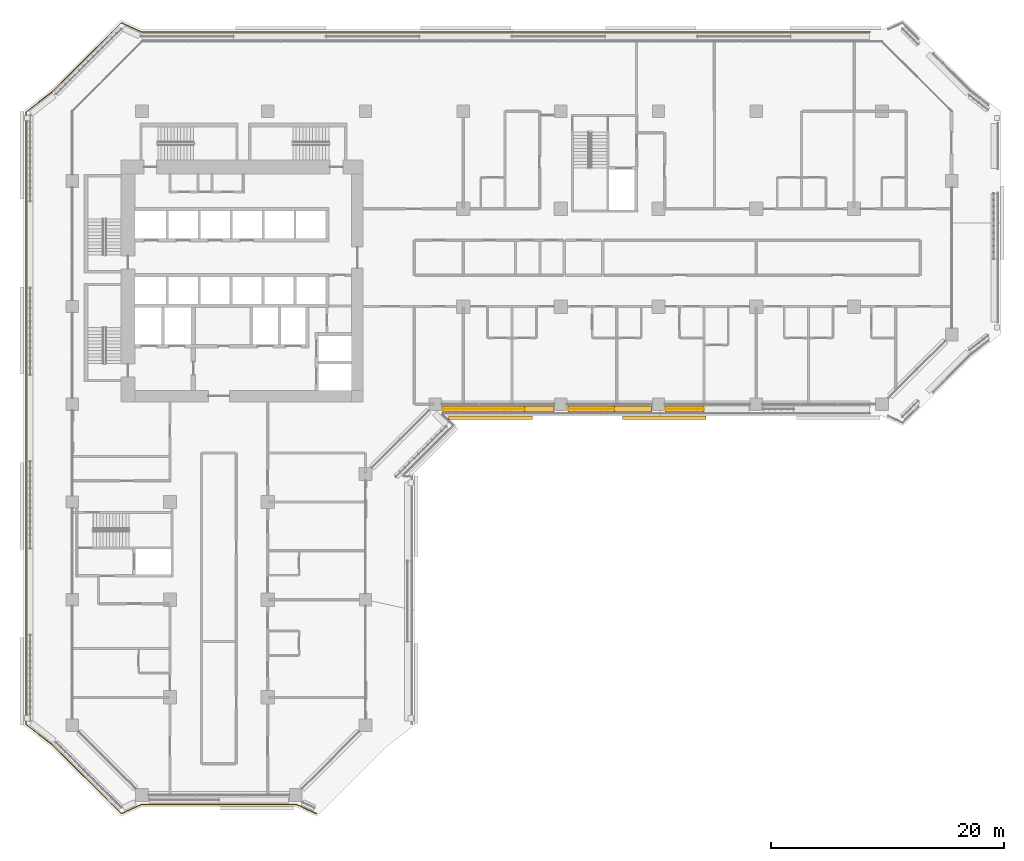
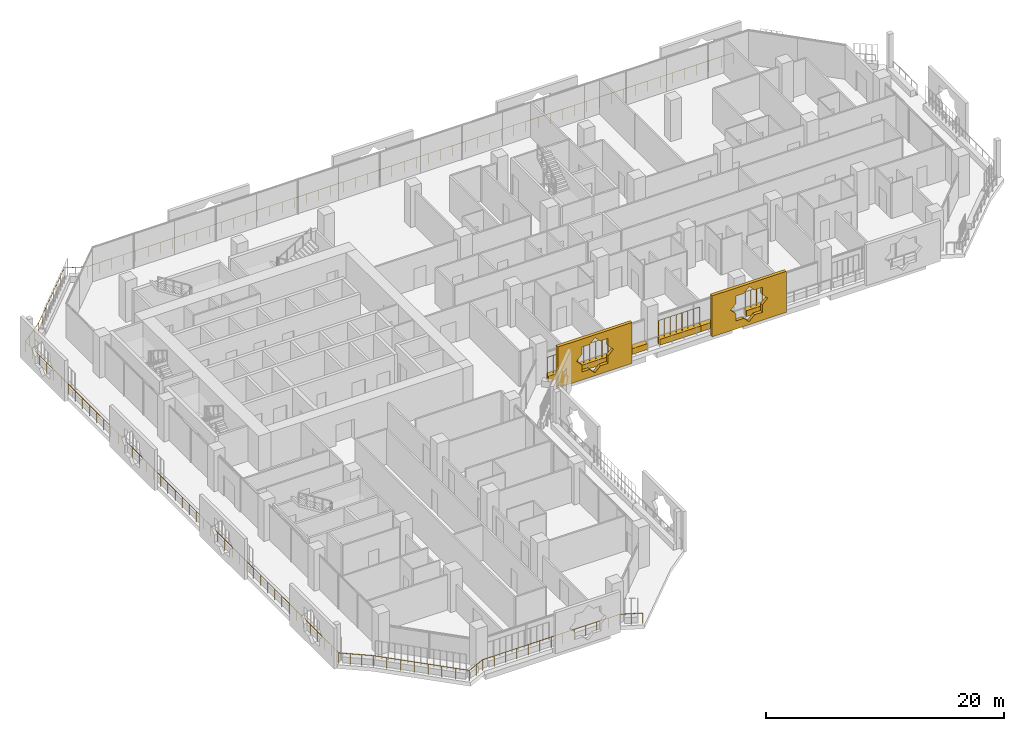
# One storey, part 23 of 26: 7 coverings, 4 railings.
"""IFC4 building model written with IfcOpenShell, lengths in metres."""

from ifc_helpers import new_model, si_unit, direction, frame, origin, origin_2d, place, context, subcontext, project, spatial, polyline, rectangle, circle, outline, extrude, material, material_profile, profile_set, type_object, element, save


model = new_model("IFC4")

# Units and contexts
model_context = context("Model", 3, precision=1e-05, world=origin(), true_north=direction((0.0, 1.0)))
body_context = subcontext(model_context, "Body", "Model", "MODEL_VIEW")
ifc_project = project(units=[si_unit("LENGTHUNIT", "METRE"), si_unit("AREAUNIT", "SQUARE_METRE"), si_unit("VOLUMEUNIT", "CUBIC_METRE"), si_unit("PLANEANGLEUNIT", "RADIAN"), si_unit("MASSUNIT", "GRAM", prefix="KILO")], contexts=[model_context])

# Site, building, storey
site_placement = place(None, origin())
site = spatial("IfcSite", under=ifc_project, at=site_placement, CompositionType="ELEMENT")
building_placement = place(site_placement, origin())
building = spatial("IfcBuilding", under=site, at=building_placement, Name="Kawkab Arch Medical Tower", CompositionType="ELEMENT")
storey_placement = place(building_placement, frame((0.0, 0.0, 119.800048828125)))
storey = spatial("IfcBuildingStorey", under=building, at=storey_placement, Name="L27", CompositionType="ELEMENT", Elevation=119.800048828125)

# Railing
ifc_material_1 = material(Name="Bronze anodised aluminium guard", Category="aluminium")
railing_type_1 = type_object("IfcRailingType", Name="Loggia and terrace guard 1100", PredefinedType="GUARDRAIL", material=ifc_material_1)
railing_1_placement = place(storey_placement, frame((20.9951171875, -60.39794921875, 0.0)))
element("IfcRailing", 1, at=railing_1_placement, inside=storey, type_object=railing_type_1, Name="Guard L27.LOG-01.1.1", PredefinedType="GUARDRAIL", context=body_context, shape_type="SweptSolid", body=[
    extrude(circle(Radius=0.02392578125, at=origin_2d()), frame((0.0, 0.0, 1.076171875), z_axis=(-0.910092688388, 0.414404752076, 0.0), x_axis=(-0.414404752076, -0.910092688388, 0.0)), (0.0, 0.0, 1.0), 1.92529296875),
    extrude(circle(Radius=0.02392578125, at=origin_2d()), frame((-1.752197265625, 0.7978515625, 1.076171875), z_axis=(-1.0, 0.0, 0.0), x_axis=(0.0, -1.0, 0.0)), (0.0, 0.0, 1.0), 13.285888671875),
    extrude(circle(Radius=0.02392578125, at=origin_2d()), frame((-15.0380859375, 0.7978515625, 1.076171875), z_axis=(-0.910070907914, -0.414452581809, 0.0), x_axis=(0.414452581809, -0.910070907914, 0.0)), (0.0, 0.0, 1.0), 1.925048828125),
    extrude(circle(Radius=0.02392578125, at=origin_2d()), frame((-16.7900390625, 0.0, 1.076171875), z_axis=(-0.707121386154, 0.707092175918, 0.0), x_axis=(-0.707092175918, -0.707121386154, 0.0)), (0.0, 0.0, 1.0), 8.358154296875),
    extrude(circle(Radius=0.02392578125, at=origin_2d()), frame((-22.7001953125, 5.909912109375, 1.076171875), z_axis=(-0.789153273162, 0.614196313452, 0.0), x_axis=(-0.614196313452, -0.789153273162, 0.0)), (0.0, 0.0, 1.0), 2.908203125),
    extrude(circle(Radius=0.02392578125, at=origin_2d()), frame((-24.9951171875, 7.696044921875, 1.076171875), z_axis=(0.0, 1.0, 0.0), x_axis=(-1.0, 0.0, 0.0)), (0.0, 0.0, 1.0), 52.60400390625),
    extrude(circle(Radius=0.02392578125, at=origin_2d()), frame((-24.9951171875, 60.300048828125, 1.076171875), z_axis=(0.789193964876, 0.614144026922, 0.0), x_axis=(-0.614144026922, 0.789193964876, 0.0)), (0.0, 0.0, 1.0), 2.907958984375),
    extrude(circle(Radius=0.02392578125, at=origin_2d()), frame((-22.7001953125, 62.0859375, 1.076171875), z_axis=(0.707121386154, 0.707092175918, 0.0), x_axis=(-0.707092175918, 0.707121386154, 0.0)), (0.0, 0.0, 1.0), 8.358154296875),
    extrude(circle(Radius=0.02392578125, at=origin_2d()), frame((-16.7900390625, 67.995849609375, 1.076171875), z_axis=(0.910070907914, -0.414452581809, 0.0), x_axis=(0.414452581809, 0.910070907914, 0.0)), (0.0, 0.0, 1.0), 1.925048828125),
    extrude(circle(Radius=0.02392578125, at=origin_2d()), frame((-15.0380859375, 67.197998046875, 1.076171875), z_axis=(1.0, 0.0, 0.0), x_axis=(0.0, 1.0, 0.0)), (0.0, 0.0, 1.0), 62.613037109375),
    extrude(circle(Radius=0.02099609375, at=origin_2d()), origin(), (0.0, 0.0, 1.0), 1.052001953125),
    extrude(circle(Radius=0.02099609375, at=origin_2d()), frame((-0.8759765625, 0.39892578125, 0.0)), (0.0, 0.0, 1.0), 1.052001953125),
    extrude(circle(Radius=0.02099609375, at=origin_2d()), frame((-1.752197265625, 0.7978515625, 0.0)), (0.0, 0.0, 1.0), 1.052001953125),
    extrude(circle(Radius=0.02099609375, at=origin_2d()), frame((-2.859375, 0.7978515625, 0.0)), (0.0, 0.0, 1.0), 1.052001953125),
    extrude(circle(Radius=0.02099609375, at=origin_2d()), frame((-3.966552734375, 0.7978515625, 0.0)), (0.0, 0.0, 1.0), 1.052001953125),
    extrude(circle(Radius=0.02099609375, at=origin_2d()), frame((-5.07373046875, 0.7978515625, 0.0)), (0.0, 0.0, 1.0), 1.052001953125),
    extrude(circle(Radius=0.02099609375, at=origin_2d()), frame((-6.180908203125, 0.7978515625, 0.0)), (0.0, 0.0, 1.0), 1.052001953125),
    extrude(circle(Radius=0.02099609375, at=origin_2d()), frame((-7.2880859375, 0.7978515625, 0.0)), (0.0, 0.0, 1.0), 1.052001953125),
    extrude(circle(Radius=0.02099609375, at=origin_2d()), frame((-8.39501953125, 0.7978515625, 0.0)), (0.0, 0.0, 1.0), 1.052001953125),
    extrude(circle(Radius=0.02099609375, at=origin_2d()), frame((-9.502197265625, 0.7978515625, 0.0)), (0.0, 0.0, 1.0), 1.052001953125),
    extrude(circle(Radius=0.02099609375, at=origin_2d()), frame((-10.609375, 0.7978515625, 0.0)), (0.0, 0.0, 1.0), 1.052001953125),
    extrude(circle(Radius=0.02099609375, at=origin_2d()), frame((-11.716552734375, 0.7978515625, 0.0)), (0.0, 0.0, 1.0), 1.052001953125),
    extrude(circle(Radius=0.02099609375, at=origin_2d()), frame((-12.82373046875, 0.7978515625, 0.0)), (0.0, 0.0, 1.0), 1.052001953125),
    extrude(circle(Radius=0.02099609375, at=origin_2d()), frame((-13.930908203125, 0.7978515625, 0.0)), (0.0, 0.0, 1.0), 1.052001953125),
    extrude(circle(Radius=0.02099609375, at=origin_2d()), frame((-15.0380859375, 0.7978515625, 0.0)), (0.0, 0.0, 1.0), 1.052001953125),
    extrude(circle(Radius=0.02099609375, at=origin_2d()), frame((-15.9140625, 0.39892578125, 0.0)), (0.0, 0.0, 1.0), 1.052001953125),
    extrude(circle(Radius=0.02099609375, at=origin_2d()), frame((-16.7900390625, 0.0, 0.0)), (0.0, 0.0, 1.0), 1.052001953125),
    extrude(circle(Radius=0.02099609375, at=origin_2d()), frame((-17.63427734375, 0.84423828125, 0.0)), (0.0, 0.0, 1.0), 1.052001953125),
    extrude(circle(Radius=0.02099609375, at=origin_2d()), frame((-18.478759765625, 1.6884765625, 0.0)), (0.0, 0.0, 1.0), 1.052001953125),
    extrude(circle(Radius=0.02099609375, at=origin_2d()), frame((-19.322998046875, 2.53271484375, 0.0)), (0.0, 0.0, 1.0), 1.052001953125),
    extrude(circle(Radius=0.02099609375, at=origin_2d()), frame((-20.167236328125, 3.377197265625, 0.0)), (0.0, 0.0, 1.0), 1.052001953125),
    extrude(circle(Radius=0.02099609375, at=origin_2d()), frame((-21.011474609375, 4.221435546875, 0.0)), (0.0, 0.0, 1.0), 1.052001953125),
    extrude(circle(Radius=0.02099609375, at=origin_2d()), frame((-21.85595703125, 5.065673828125, 0.0)), (0.0, 0.0, 1.0), 1.052001953125),
    extrude(circle(Radius=0.02099609375, at=origin_2d()), frame((-22.7001953125, 5.909912109375, 0.0)), (0.0, 0.0, 1.0), 1.052001953125),
    extrude(circle(Radius=0.02099609375, at=origin_2d()), frame((-23.465087890625, 6.50537109375, 0.0)), (0.0, 0.0, 1.0), 1.052001953125),
    extrude(circle(Radius=0.02099609375, at=origin_2d()), frame((-24.230224609375, 7.1005859375, 0.0)), (0.0, 0.0, 1.0), 1.052001953125),
    extrude(circle(Radius=0.02099609375, at=origin_2d()), frame((-24.9951171875, 7.696044921875, 0.0)), (0.0, 0.0, 1.0), 1.052001953125),
    extrude(circle(Radius=0.02099609375, at=origin_2d()), frame((-24.9951171875, 8.8916015625, 0.0)), (0.0, 0.0, 1.0), 1.052001953125),
    extrude(circle(Radius=0.02099609375, at=origin_2d()), frame((-24.9951171875, 10.087158203125, 0.0)), (0.0, 0.0, 1.0), 1.052001953125),
    extrude(circle(Radius=0.02099609375, at=origin_2d()), frame((-24.9951171875, 11.28271484375, 0.0)), (0.0, 0.0, 1.0), 1.052001953125),
    extrude(circle(Radius=0.02099609375, at=origin_2d()), frame((-24.9951171875, 12.478271484375, 0.0)), (0.0, 0.0, 1.0), 1.052001953125),
    extrude(circle(Radius=0.02099609375, at=origin_2d()), frame((-24.9951171875, 13.673828125, 0.0)), (0.0, 0.0, 1.0), 1.052001953125),
    extrude(circle(Radius=0.02099609375, at=origin_2d()), frame((-24.9951171875, 14.869384765625, 0.0)), (0.0, 0.0, 1.0), 1.052001953125),
    extrude(circle(Radius=0.02099609375, at=origin_2d()), frame((-24.9951171875, 16.06494140625, 0.0)), (0.0, 0.0, 1.0), 1.052001953125),
    extrude(circle(Radius=0.02099609375, at=origin_2d()), frame((-24.9951171875, 17.260498046875, 0.0)), (0.0, 0.0, 1.0), 1.052001953125),
    extrude(circle(Radius=0.02099609375, at=origin_2d()), frame((-24.9951171875, 18.4560546875, 0.0)), (0.0, 0.0, 1.0), 1.052001953125),
    extrude(circle(Radius=0.02099609375, at=origin_2d()), frame((-24.9951171875, 19.651611328125, 0.0)), (0.0, 0.0, 1.0), 1.052001953125),
    extrude(circle(Radius=0.02099609375, at=origin_2d()), frame((-24.9951171875, 20.84716796875, 0.0)), (0.0, 0.0, 1.0), 1.052001953125),
    extrude(circle(Radius=0.02099609375, at=origin_2d()), frame((-24.9951171875, 22.04248046875, 0.0)), (0.0, 0.0, 1.0), 1.052001953125),
    extrude(circle(Radius=0.02099609375, at=origin_2d()), frame((-24.9951171875, 23.238037109375, 0.0)), (0.0, 0.0, 1.0), 1.052001953125),
    extrude(circle(Radius=0.02099609375, at=origin_2d()), frame((-24.9951171875, 24.43359375, 0.0)), (0.0, 0.0, 1.0), 1.052001953125),
    extrude(circle(Radius=0.02099609375, at=origin_2d()), frame((-24.9951171875, 25.629150390625, 0.0)), (0.0, 0.0, 1.0), 1.052001953125),
    extrude(circle(Radius=0.02099609375, at=origin_2d()), frame((-24.9951171875, 26.82470703125, 0.0)), (0.0, 0.0, 1.0), 1.052001953125),
    extrude(circle(Radius=0.02099609375, at=origin_2d()), frame((-24.9951171875, 28.020263671875, 0.0)), (0.0, 0.0, 1.0), 1.052001953125),
    extrude(circle(Radius=0.02099609375, at=origin_2d()), frame((-24.9951171875, 29.2158203125, 0.0)), (0.0, 0.0, 1.0), 1.052001953125),
    extrude(circle(Radius=0.02099609375, at=origin_2d()), frame((-24.9951171875, 30.411376953125, 0.0)), (0.0, 0.0, 1.0), 1.052001953125),
    extrude(circle(Radius=0.02099609375, at=origin_2d()), frame((-24.9951171875, 31.60693359375, 0.0)), (0.0, 0.0, 1.0), 1.052001953125),
    extrude(circle(Radius=0.02099609375, at=origin_2d()), frame((-24.9951171875, 32.802490234375, 0.0)), (0.0, 0.0, 1.0), 1.052001953125),
    extrude(circle(Radius=0.02099609375, at=origin_2d()), frame((-24.9951171875, 33.998046875, 0.0)), (0.0, 0.0, 1.0), 1.052001953125),
    extrude(circle(Radius=0.02099609375, at=origin_2d()), frame((-24.9951171875, 35.193603515625, 0.0)), (0.0, 0.0, 1.0), 1.052001953125),
    extrude(circle(Radius=0.02099609375, at=origin_2d()), frame((-24.9951171875, 36.38916015625, 0.0)), (0.0, 0.0, 1.0), 1.052001953125),
    extrude(circle(Radius=0.02099609375, at=origin_2d()), frame((-24.9951171875, 37.584716796875, 0.0)), (0.0, 0.0, 1.0), 1.052001953125),
    extrude(circle(Radius=0.02099609375, at=origin_2d()), frame((-24.9951171875, 38.7802734375, 0.0)), (0.0, 0.0, 1.0), 1.052001953125),
    extrude(circle(Radius=0.02099609375, at=origin_2d()), frame((-24.9951171875, 39.975830078125, 0.0)), (0.0, 0.0, 1.0), 1.052001953125),
    extrude(circle(Radius=0.02099609375, at=origin_2d()), frame((-24.9951171875, 41.17138671875, 0.0)), (0.0, 0.0, 1.0), 1.052001953125),
    extrude(circle(Radius=0.02099609375, at=origin_2d()), frame((-24.9951171875, 42.366943359375, 0.0)), (0.0, 0.0, 1.0), 1.052001953125),
    extrude(circle(Radius=0.02099609375, at=origin_2d()), frame((-24.9951171875, 43.5625, 0.0)), (0.0, 0.0, 1.0), 1.052001953125),
    extrude(circle(Radius=0.02099609375, at=origin_2d()), frame((-24.9951171875, 44.758056640625, 0.0)), (0.0, 0.0, 1.0), 1.052001953125),
    extrude(circle(Radius=0.02099609375, at=origin_2d()), frame((-24.9951171875, 45.95361328125, 0.0)), (0.0, 0.0, 1.0), 1.052001953125),
    extrude(circle(Radius=0.02099609375, at=origin_2d()), frame((-24.9951171875, 47.14892578125, 0.0)), (0.0, 0.0, 1.0), 1.052001953125),
    extrude(circle(Radius=0.02099609375, at=origin_2d()), frame((-24.9951171875, 48.344482421875, 0.0)), (0.0, 0.0, 1.0), 1.052001953125),
    extrude(circle(Radius=0.02099609375, at=origin_2d()), frame((-24.9951171875, 49.5400390625, 0.0)), (0.0, 0.0, 1.0), 1.052001953125),
    extrude(circle(Radius=0.02099609375, at=origin_2d()), frame((-24.9951171875, 50.735595703125, 0.0)), (0.0, 0.0, 1.0), 1.052001953125),
    extrude(circle(Radius=0.02099609375, at=origin_2d()), frame((-24.9951171875, 51.93115234375, 0.0)), (0.0, 0.0, 1.0), 1.052001953125),
    extrude(circle(Radius=0.02099609375, at=origin_2d()), frame((-24.9951171875, 53.126708984375, 0.0)), (0.0, 0.0, 1.0), 1.052001953125),
    extrude(circle(Radius=0.02099609375, at=origin_2d()), frame((-24.9951171875, 54.322265625, 0.0)), (0.0, 0.0, 1.0), 1.052001953125),
    extrude(circle(Radius=0.02099609375, at=origin_2d()), frame((-24.9951171875, 55.517822265625, 0.0)), (0.0, 0.0, 1.0), 1.052001953125),
    extrude(circle(Radius=0.02099609375, at=origin_2d()), frame((-24.9951171875, 56.71337890625, 0.0)), (0.0, 0.0, 1.0), 1.052001953125),
    extrude(circle(Radius=0.02099609375, at=origin_2d()), frame((-24.9951171875, 57.908935546875, 0.0)), (0.0, 0.0, 1.0), 1.052001953125),
    extrude(circle(Radius=0.02099609375, at=origin_2d()), frame((-24.9951171875, 59.1044921875, 0.0)), (0.0, 0.0, 1.0), 1.052001953125),
    extrude(circle(Radius=0.02099609375, at=origin_2d()), frame((-24.9951171875, 60.300048828125, 0.0)), (0.0, 0.0, 1.0), 1.052001953125),
    extrude(circle(Radius=0.02099609375, at=origin_2d()), frame((-24.230224609375, 60.895263671875, 0.0)), (0.0, 0.0, 1.0), 1.052001953125),
    extrude(circle(Radius=0.02099609375, at=origin_2d()), frame((-23.465087890625, 61.49072265625, 0.0)), (0.0, 0.0, 1.0), 1.052001953125),
    extrude(circle(Radius=0.02099609375, at=origin_2d()), frame((-22.7001953125, 62.0859375, 0.0)), (0.0, 0.0, 1.0), 1.052001953125),
    extrude(circle(Radius=0.02099609375, at=origin_2d()), frame((-21.85595703125, 62.93017578125, 0.0)), (0.0, 0.0, 1.0), 1.052001953125),
    extrude(circle(Radius=0.02099609375, at=origin_2d()), frame((-21.011474609375, 63.7744140625, 0.0)), (0.0, 0.0, 1.0), 1.052001953125),
    extrude(circle(Radius=0.02099609375, at=origin_2d()), frame((-20.167236328125, 64.61865234375, 0.0)), (0.0, 0.0, 1.0), 1.052001953125),
    extrude(circle(Radius=0.02099609375, at=origin_2d()), frame((-19.322998046875, 65.463134765625, 0.0)), (0.0, 0.0, 1.0), 1.052001953125),
    extrude(circle(Radius=0.02099609375, at=origin_2d()), frame((-18.478759765625, 66.307373046875, 0.0)), (0.0, 0.0, 1.0), 1.052001953125),
    extrude(circle(Radius=0.02099609375, at=origin_2d()), frame((-17.63427734375, 67.151611328125, 0.0)), (0.0, 0.0, 1.0), 1.052001953125),
    extrude(circle(Radius=0.02099609375, at=origin_2d()), frame((-16.7900390625, 67.995849609375, 0.0)), (0.0, 0.0, 1.0), 1.052001953125),
    extrude(circle(Radius=0.02099609375, at=origin_2d()), frame((-15.9140625, 67.596923828125, 0.0)), (0.0, 0.0, 1.0), 1.052001953125),
    extrude(circle(Radius=0.02099609375, at=origin_2d()), frame((-15.0380859375, 67.197998046875, 0.0)), (0.0, 0.0, 1.0), 1.052001953125),
    extrude(circle(Radius=0.02099609375, at=origin_2d()), frame((-13.856689453125, 67.197998046875, 0.0)), (0.0, 0.0, 1.0), 1.052001953125),
    extrude(circle(Radius=0.02099609375, at=origin_2d()), frame((-12.67529296875, 67.197998046875, 0.0)), (0.0, 0.0, 1.0), 1.052001953125),
    extrude(circle(Radius=0.02099609375, at=origin_2d()), frame((-11.493896484375, 67.197998046875, 0.0)), (0.0, 0.0, 1.0), 1.052001953125),
    extrude(circle(Radius=0.02099609375, at=origin_2d()), frame((-10.3125, 67.197998046875, 0.0)), (0.0, 0.0, 1.0), 1.052001953125),
    extrude(circle(Radius=0.02099609375, at=origin_2d()), frame((-9.131103515625, 67.197998046875, 0.0)), (0.0, 0.0, 1.0), 1.052001953125),
    extrude(circle(Radius=0.02099609375, at=origin_2d()), frame((-7.94970703125, 67.197998046875, 0.0)), (0.0, 0.0, 1.0), 1.052001953125),
    extrude(circle(Radius=0.02099609375, at=origin_2d()), frame((-6.7685546875, 67.197998046875, 0.0)), (0.0, 0.0, 1.0), 1.052001953125),
    extrude(circle(Radius=0.02099609375, at=origin_2d()), frame((-5.587158203125, 67.197998046875, 0.0)), (0.0, 0.0, 1.0), 1.052001953125),
    extrude(circle(Radius=0.02099609375, at=origin_2d()), frame((-4.40576171875, 67.197998046875, 0.0)), (0.0, 0.0, 1.0), 1.052001953125),
    extrude(circle(Radius=0.02099609375, at=origin_2d()), frame((-3.224365234375, 67.197998046875, 0.0)), (0.0, 0.0, 1.0), 1.052001953125),
    extrude(circle(Radius=0.02099609375, at=origin_2d()), frame((-2.04296875, 67.197998046875, 0.0)), (0.0, 0.0, 1.0), 1.052001953125),
    extrude(circle(Radius=0.02099609375, at=origin_2d()), frame((-0.861572265625, 67.197998046875, 0.0)), (0.0, 0.0, 1.0), 1.052001953125),
    extrude(circle(Radius=0.02099609375, at=origin_2d()), frame((0.31982421875, 67.197998046875, 0.0)), (0.0, 0.0, 1.0), 1.052001953125),
    extrude(circle(Radius=0.02099609375, at=origin_2d()), frame((1.501220703125, 67.197998046875, 0.0)), (0.0, 0.0, 1.0), 1.052001953125),
    extrude(circle(Radius=0.02099609375, at=origin_2d()), frame((2.6826171875, 67.197998046875, 0.0)), (0.0, 0.0, 1.0), 1.052001953125),
    extrude(circle(Radius=0.02099609375, at=origin_2d()), frame((3.864013671875, 67.197998046875, 0.0)), (0.0, 0.0, 1.0), 1.052001953125),
    extrude(circle(Radius=0.02099609375, at=origin_2d()), frame((5.04541015625, 67.197998046875, 0.0)), (0.0, 0.0, 1.0), 1.052001953125),
    extrude(circle(Radius=0.02099609375, at=origin_2d()), frame((6.226806640625, 67.197998046875, 0.0)), (0.0, 0.0, 1.0), 1.052001953125),
    extrude(circle(Radius=0.02099609375, at=origin_2d()), frame((7.408203125, 67.197998046875, 0.0)), (0.0, 0.0, 1.0), 1.052001953125),
    extrude(circle(Radius=0.02099609375, at=origin_2d()), frame((8.58935546875, 67.197998046875, 0.0)), (0.0, 0.0, 1.0), 1.052001953125),
    extrude(circle(Radius=0.02099609375, at=origin_2d()), frame((9.770751953125, 67.197998046875, 0.0)), (0.0, 0.0, 1.0), 1.052001953125),
    extrude(circle(Radius=0.02099609375, at=origin_2d()), frame((10.9521484375, 67.197998046875, 0.0)), (0.0, 0.0, 1.0), 1.052001953125),
    extrude(circle(Radius=0.02099609375, at=origin_2d()), frame((12.133544921875, 67.197998046875, 0.0)), (0.0, 0.0, 1.0), 1.052001953125),
    extrude(circle(Radius=0.02099609375, at=origin_2d()), frame((13.31494140625, 67.197998046875, 0.0)), (0.0, 0.0, 1.0), 1.052001953125),
    extrude(circle(Radius=0.02099609375, at=origin_2d()), frame((14.496337890625, 67.197998046875, 0.0)), (0.0, 0.0, 1.0), 1.052001953125),
    extrude(circle(Radius=0.02099609375, at=origin_2d()), frame((15.677734375, 67.197998046875, 0.0)), (0.0, 0.0, 1.0), 1.052001953125),
    extrude(circle(Radius=0.02099609375, at=origin_2d()), frame((16.859130859375, 67.197998046875, 0.0)), (0.0, 0.0, 1.0), 1.052001953125),
    extrude(circle(Radius=0.02099609375, at=origin_2d()), frame((18.04052734375, 67.197998046875, 0.0)), (0.0, 0.0, 1.0), 1.052001953125),
    extrude(circle(Radius=0.02099609375, at=origin_2d()), frame((19.221923828125, 67.197998046875, 0.0)), (0.0, 0.0, 1.0), 1.052001953125),
    extrude(circle(Radius=0.02099609375, at=origin_2d()), frame((20.4033203125, 67.197998046875, 0.0)), (0.0, 0.0, 1.0), 1.052001953125),
    extrude(circle(Radius=0.02099609375, at=origin_2d()), frame((21.584716796875, 67.197998046875, 0.0)), (0.0, 0.0, 1.0), 1.052001953125),
    extrude(circle(Radius=0.02099609375, at=origin_2d()), frame((22.76611328125, 67.197998046875, 0.0)), (0.0, 0.0, 1.0), 1.052001953125),
    extrude(circle(Radius=0.02099609375, at=origin_2d()), frame((23.947509765625, 67.197998046875, 0.0)), (0.0, 0.0, 1.0), 1.052001953125),
    extrude(circle(Radius=0.02099609375, at=origin_2d()), frame((25.128662109375, 67.197998046875, 0.0)), (0.0, 0.0, 1.0), 1.052001953125),
    extrude(circle(Radius=0.02099609375, at=origin_2d()), frame((26.31005859375, 67.197998046875, 0.0)), (0.0, 0.0, 1.0), 1.052001953125),
    extrude(circle(Radius=0.02099609375, at=origin_2d()), frame((27.491455078125, 67.197998046875, 0.0)), (0.0, 0.0, 1.0), 1.052001953125),
    extrude(circle(Radius=0.02099609375, at=origin_2d()), frame((28.6728515625, 67.197998046875, 0.0)), (0.0, 0.0, 1.0), 1.052001953125),
    extrude(circle(Radius=0.02099609375, at=origin_2d()), frame((29.854248046875, 67.197998046875, 0.0)), (0.0, 0.0, 1.0), 1.052001953125),
    extrude(circle(Radius=0.02099609375, at=origin_2d()), frame((31.03564453125, 67.197998046875, 0.0)), (0.0, 0.0, 1.0), 1.052001953125),
    extrude(circle(Radius=0.02099609375, at=origin_2d()), frame((32.217041015625, 67.197998046875, 0.0)), (0.0, 0.0, 1.0), 1.052001953125),
    extrude(circle(Radius=0.02099609375, at=origin_2d()), frame((33.3984375, 67.197998046875, 0.0)), (0.0, 0.0, 1.0), 1.052001953125),
    extrude(circle(Radius=0.02099609375, at=origin_2d()), frame((34.579833984375, 67.197998046875, 0.0)), (0.0, 0.0, 1.0), 1.052001953125),
    extrude(circle(Radius=0.02099609375, at=origin_2d()), frame((35.76123046875, 67.197998046875, 0.0)), (0.0, 0.0, 1.0), 1.052001953125),
    extrude(circle(Radius=0.02099609375, at=origin_2d()), frame((36.942626953125, 67.197998046875, 0.0)), (0.0, 0.0, 1.0), 1.052001953125),
    extrude(circle(Radius=0.02099609375, at=origin_2d()), frame((38.1240234375, 67.197998046875, 0.0)), (0.0, 0.0, 1.0), 1.052001953125),
    extrude(circle(Radius=0.02099609375, at=origin_2d()), frame((39.305419921875, 67.197998046875, 0.0)), (0.0, 0.0, 1.0), 1.052001953125),
    extrude(circle(Radius=0.02099609375, at=origin_2d()), frame((40.486572265625, 67.197998046875, 0.0)), (0.0, 0.0, 1.0), 1.052001953125),
    extrude(circle(Radius=0.02099609375, at=origin_2d()), frame((41.66796875, 67.197998046875, 0.0)), (0.0, 0.0, 1.0), 1.052001953125),
    extrude(circle(Radius=0.02099609375, at=origin_2d()), frame((42.849365234375, 67.197998046875, 0.0)), (0.0, 0.0, 1.0), 1.052001953125),
    extrude(circle(Radius=0.02099609375, at=origin_2d()), frame((44.03076171875, 67.197998046875, 0.0)), (0.0, 0.0, 1.0), 1.052001953125),
    extrude(circle(Radius=0.02099609375, at=origin_2d()), frame((45.212158203125, 67.197998046875, 0.0)), (0.0, 0.0, 1.0), 1.052001953125),
    extrude(circle(Radius=0.02099609375, at=origin_2d()), frame((46.3935546875, 67.197998046875, 0.0)), (0.0, 0.0, 1.0), 1.052001953125),
    extrude(circle(Radius=0.02099609375, at=origin_2d()), frame((47.574951171875, 67.197998046875, 0.0)), (0.0, 0.0, 1.0), 1.052001953125),
])

# Coverings
ifc_material_2 = material(Name="Bronze anodised aluminium mashrabiya panel, eight-point star pattern", Category="aluminium")
ifc_material_profile_1 = material_profile(ifc_material_2, outline(polyline([(-3.60009765625, -2.10009765625), (3.60009765625, -2.10009765625), (3.60009765625, 2.10009765625), (-3.60009765625, 2.10009765625), (-3.60009765625, -2.10009765625)]), holes=[polyline([(1.800048828125, 0.0), (1.272705078125, 0.527099609375), (1.272705078125, 1.272705078125), (0.527099609375, 1.272705078125), (0.0, 1.800048828125), (-0.527099609375, 1.272705078125), (-1.272705078125, 1.272705078125), (-1.272705078125, 0.527099609375), (-1.800048828125, 0.0), (-1.272705078125, -0.527099609375), (-1.272705078125, -1.272705078125), (-0.527099609375, -1.272705078125), (0.0, -1.800048828125), (0.527099609375, -1.272705078125), (1.272705078125, -1.272705078125), (1.272705078125, -0.527099609375), (1.800048828125, 0.0)])]), Name="Mashrabiya panel 7200x4200")
ifc_profile_set_1 = profile_set([ifc_material_profile_1], Name="Bronze anodised aluminium mashrabiya panel, eight-point star pattern")
covering_type_1 = type_object("IfcCoveringType", Name="Mashrabiya panel 7200 x 4200", PredefinedType="USERDEFINED", material=ifc_profile_set_1)
for number, where, z_axis, x_axis, name in (
    (2, (50.892333984375, -26.199951171875, 1.699951171875), (0.0, -1.0, 0.0), (1.0, 0.0, 0.0), "Mashrabiya panel L27.LOG-01-01.12"),
    (3, (35.944580078125, -26.199951171875, 1.699951171875), (0.0, -1.0, 0.0), (1.0, 0.0, 0.0), "Mashrabiya panel L27.LOG-01-01.13"),
):
    element("IfcCovering", number, at=place(storey_placement, frame(where, z_axis=z_axis, x_axis=x_axis)), inside=storey, type_object=covering_type_1, Name=name, ObjectType="SCREEN", PredefinedType="USERDEFINED", context=body_context, shape_type="SweptSolid", body=[
        extrude(outline(polyline([(-3.60009765625, -2.10009765625), (3.60009765625, -2.10009765625), (3.60009765625, 2.10009765625), (-3.60009765625, 2.10009765625), (-3.60009765625, -2.10009765625)]), holes=[polyline([(1.800048828125, 0.0), (1.272705078125, 0.527099609375), (1.272705078125, 1.272705078125), (0.527099609375, 1.272705078125), (0.0, 1.800048828125), (-0.527099609375, 1.272705078125), (-1.272705078125, 1.272705078125), (-1.272705078125, 0.527099609375), (-1.800048828125, 0.0), (-1.272705078125, -0.527099609375), (-1.272705078125, -1.272705078125), (-0.527099609375, -1.272705078125), (0.0, -1.800048828125), (0.527099609375, -1.272705078125), (1.272705078125, -1.272705078125), (1.272705078125, -0.527099609375), (1.800048828125, 0.0)])]), origin(), (0.0, 0.0, 1.0), 0.300048828125),
    ])
ifc_material_3 = material(Name="Planting soil in a precast trough", Category="concrete")
ifc_material_profile_2 = material_profile(ifc_material_3, rectangle(XDim=0.5, YDim=0.60009765625, at=origin_2d()), Name="Trough 500x600")
ifc_profile_set_2 = profile_set([ifc_material_profile_2], Name="Planting soil in a precast trough")
covering_type_2 = type_object("IfcCoveringType", Name="Planter trough 500 x 600", PredefinedType="USERDEFINED", material=ifc_profile_set_2)
covering_1_placement = place(storey_placement, frame((54.30908203125, -25.6201171875, 0.300048828125), z_axis=(-1.0, 0.0, 0.0), x_axis=(0.0, -1.0, 0.0)))
element("IfcCovering", 4, at=covering_1_placement, inside=storey, type_object=covering_type_2, Name="Planter L27.LOG-01-01.37", ObjectType="PLANTER", PredefinedType="USERDEFINED", context=body_context, shape_type="SweptSolid", body=[
    extrude(rectangle(XDim=0.5, YDim=0.60009765625, at=origin_2d()), origin(), (0.0, 0.0, 1.0), 3.30419921875),
])
covering_2_placement = place(storey_placement, frame((49.794921875, -25.6201171875, 0.300048828125), z_axis=(-1.0, 0.0, 0.0), x_axis=(0.0, -1.0, 0.0)))
element("IfcCovering", 5, at=covering_2_placement, inside=storey, type_object=covering_type_2, Name="Planter L27.LOG-01-01.38", ObjectType="PLANTER", PredefinedType="USERDEFINED", context=body_context, shape_type="SweptSolid", body=[
    extrude(rectangle(XDim=0.5, YDim=0.60009765625, at=origin_2d()), origin(), (0.0, 0.0, 1.0), 3.19384765625),
])
covering_3_placement = place(storey_placement, frame((46.60107421875, -25.6201171875, 0.300048828125), z_axis=(-1.0, 0.0, 0.0), x_axis=(0.0, -1.0, 0.0)))
element("IfcCovering", 6, at=covering_3_placement, inside=storey, type_object=covering_type_2, Name="Planter L27.LOG-01-01.39", ObjectType="PLANTER", PredefinedType="USERDEFINED", context=body_context, shape_type="SweptSolid", body=[
    extrude(rectangle(XDim=0.5, YDim=0.60009765625, at=origin_2d()), origin(), (0.0, 0.0, 1.0), 3.99609375),
])
covering_4_placement = place(storey_placement, frame((41.39501953125, -25.6201171875, 0.300048828125), z_axis=(-1.0, 0.0, 0.0), x_axis=(0.0, -1.0, 0.0)))
element("IfcCovering", 7, at=covering_4_placement, inside=storey, type_object=covering_type_2, Name="Planter L27.LOG-01-01.40", ObjectType="PLANTER", PredefinedType="USERDEFINED", context=body_context, shape_type="SweptSolid", body=[
    extrude(rectangle(XDim=0.5, YDim=0.60009765625, at=origin_2d()), origin(), (0.0, 0.0, 1.0), 2.501953125),
])
covering_5_placement = place(storey_placement, frame((38.89306640625, -25.6201171875, 0.300048828125), z_axis=(-1.0, 0.0, 0.0), x_axis=(0.0, -1.0, 0.0)))
element("IfcCovering", 8, at=covering_5_placement, inside=storey, type_object=covering_type_2, Name="Planter L27.LOG-01-01.41", ObjectType="PLANTER", PredefinedType="USERDEFINED", context=body_context, shape_type="SweptSolid", body=[
    extrude(rectangle(XDim=0.5, YDim=0.60009765625, at=origin_2d()), origin(), (0.0, 0.0, 1.0), 7.06298828125),
])

# Railings
ifc_material_4 = material(Name="Bronze anodised aluminium trellis for climbing plants", Category="aluminium")
railing_type_2 = type_object("IfcRailingType", Name="Planting trellis 2400", PredefinedType="USERDEFINED", material=ifc_material_4)
railing_2_placement = place(storey_placement, frame((54.30908203125, -25.6201171875, 0.0)))
element("IfcRailing", 9, at=railing_2_placement, inside=storey, type_object=railing_type_2, Name="Planting trellis L27.LOG-01-01.37", ObjectType="TRELLIS", PredefinedType="USERDEFINED", context=body_context, shape_type="SweptSolid", body=[
    extrude(circle(Radius=0.01513671875, at=origin_2d()), frame((0.0, 0.0, 2.384765625), z_axis=(-1.0, 0.0, 0.0), x_axis=(0.0, -1.0, 0.0)), (0.0, 0.0, 1.0), 3.30419921875),
    extrude(circle(Radius=0.030029296875, at=origin_2d()), origin(), (0.0, 0.0, 1.0), 2.369873046875),
    extrude(circle(Radius=0.030029296875, at=origin_2d()), frame((-0.55078125, 0.0, 0.0)), (0.0, 0.0, 1.0), 2.369873046875),
    extrude(circle(Radius=0.030029296875, at=origin_2d()), frame((-1.101318359375, 0.0, 0.0)), (0.0, 0.0, 1.0), 2.369873046875),
    extrude(circle(Radius=0.030029296875, at=origin_2d()), frame((-1.652099609375, 0.0, 0.0)), (0.0, 0.0, 1.0), 2.369873046875),
    extrude(circle(Radius=0.030029296875, at=origin_2d()), frame((-2.202880859375, 0.0, 0.0)), (0.0, 0.0, 1.0), 2.369873046875),
    extrude(circle(Radius=0.030029296875, at=origin_2d()), frame((-2.75341796875, 0.0, 0.0)), (0.0, 0.0, 1.0), 2.369873046875),
    extrude(circle(Radius=0.030029296875, at=origin_2d()), frame((-3.30419921875, 0.0, 0.0)), (0.0, 0.0, 1.0), 2.369873046875),
])
railing_3_placement = place(storey_placement, frame((46.60107421875, -25.6201171875, 0.0)))
element("IfcRailing", 10, at=railing_3_placement, inside=storey, type_object=railing_type_2, Name="Planting trellis L27.LOG-01-01.39", ObjectType="TRELLIS", PredefinedType="USERDEFINED", context=body_context, shape_type="SweptSolid", body=[
    extrude(circle(Radius=0.01513671875, at=origin_2d()), frame((0.0, 0.0, 2.384765625), z_axis=(-1.0, 0.0, 0.0), x_axis=(0.0, -1.0, 0.0)), (0.0, 0.0, 1.0), 3.99609375),
    extrude(circle(Radius=0.030029296875, at=origin_2d()), origin(), (0.0, 0.0, 1.0), 2.369873046875),
    extrude(circle(Radius=0.030029296875, at=origin_2d()), frame((-0.57080078125, 0.0, 0.0)), (0.0, 0.0, 1.0), 2.369873046875),
    extrude(circle(Radius=0.030029296875, at=origin_2d()), frame((-1.141845703125, 0.0, 0.0)), (0.0, 0.0, 1.0), 2.369873046875),
    extrude(circle(Radius=0.030029296875, at=origin_2d()), frame((-1.712646484375, 0.0, 0.0)), (0.0, 0.0, 1.0), 2.369873046875),
    extrude(circle(Radius=0.030029296875, at=origin_2d()), frame((-2.283447265625, 0.0, 0.0)), (0.0, 0.0, 1.0), 2.369873046875),
    extrude(circle(Radius=0.030029296875, at=origin_2d()), frame((-2.854248046875, 0.0, 0.0)), (0.0, 0.0, 1.0), 2.369873046875),
    extrude(circle(Radius=0.030029296875, at=origin_2d()), frame((-3.42529296875, 0.0, 0.0)), (0.0, 0.0, 1.0), 2.369873046875),
    extrude(circle(Radius=0.030029296875, at=origin_2d()), frame((-3.99609375, 0.0, 0.0)), (0.0, 0.0, 1.0), 2.369873046875),
])
railing_4_placement = place(storey_placement, frame((38.89306640625, -25.6201171875, 0.0)))
element("IfcRailing", 11, at=railing_4_placement, inside=storey, type_object=railing_type_2, Name="Planting trellis L27.LOG-01-01.41", ObjectType="TRELLIS", PredefinedType="USERDEFINED", context=body_context, shape_type="SweptSolid", body=[
    extrude(circle(Radius=0.01513671875, at=origin_2d()), frame((0.0, 0.0, 2.384765625), z_axis=(-1.0, 0.0, 0.0), x_axis=(0.0, -1.0, 0.0)), (0.0, 0.0, 1.0), 7.06298828125),
    extrude(circle(Radius=0.030029296875, at=origin_2d()), origin(), (0.0, 0.0, 1.0), 2.369873046875),
    extrude(circle(Radius=0.030029296875, at=origin_2d()), frame((-0.588623046875, 0.0, 0.0)), (0.0, 0.0, 1.0), 2.369873046875),
    extrude(circle(Radius=0.030029296875, at=origin_2d()), frame((-1.17724609375, 0.0, 0.0)), (0.0, 0.0, 1.0), 2.369873046875),
    extrude(circle(Radius=0.030029296875, at=origin_2d()), frame((-1.765625, 0.0, 0.0)), (0.0, 0.0, 1.0), 2.369873046875),
    extrude(circle(Radius=0.030029296875, at=origin_2d()), frame((-2.354248046875, 0.0, 0.0)), (0.0, 0.0, 1.0), 2.369873046875),
    extrude(circle(Radius=0.030029296875, at=origin_2d()), frame((-2.94287109375, 0.0, 0.0)), (0.0, 0.0, 1.0), 2.369873046875),
    extrude(circle(Radius=0.030029296875, at=origin_2d()), frame((-3.531494140625, 0.0, 0.0)), (0.0, 0.0, 1.0), 2.369873046875),
    extrude(circle(Radius=0.030029296875, at=origin_2d()), frame((-4.1201171875, 0.0, 0.0)), (0.0, 0.0, 1.0), 2.369873046875),
    extrude(circle(Radius=0.030029296875, at=origin_2d()), frame((-4.708740234375, 0.0, 0.0)), (0.0, 0.0, 1.0), 2.369873046875),
    extrude(circle(Radius=0.030029296875, at=origin_2d()), frame((-5.29736328125, 0.0, 0.0)), (0.0, 0.0, 1.0), 2.369873046875),
    extrude(circle(Radius=0.030029296875, at=origin_2d()), frame((-5.8857421875, 0.0, 0.0)), (0.0, 0.0, 1.0), 2.369873046875),
    extrude(circle(Radius=0.030029296875, at=origin_2d()), frame((-6.474365234375, 0.0, 0.0)), (0.0, 0.0, 1.0), 2.369873046875),
    extrude(circle(Radius=0.030029296875, at=origin_2d()), frame((-7.06298828125, 0.0, 0.0)), (0.0, 0.0, 1.0), 2.369873046875),
])

save(model, "model.ifc")
